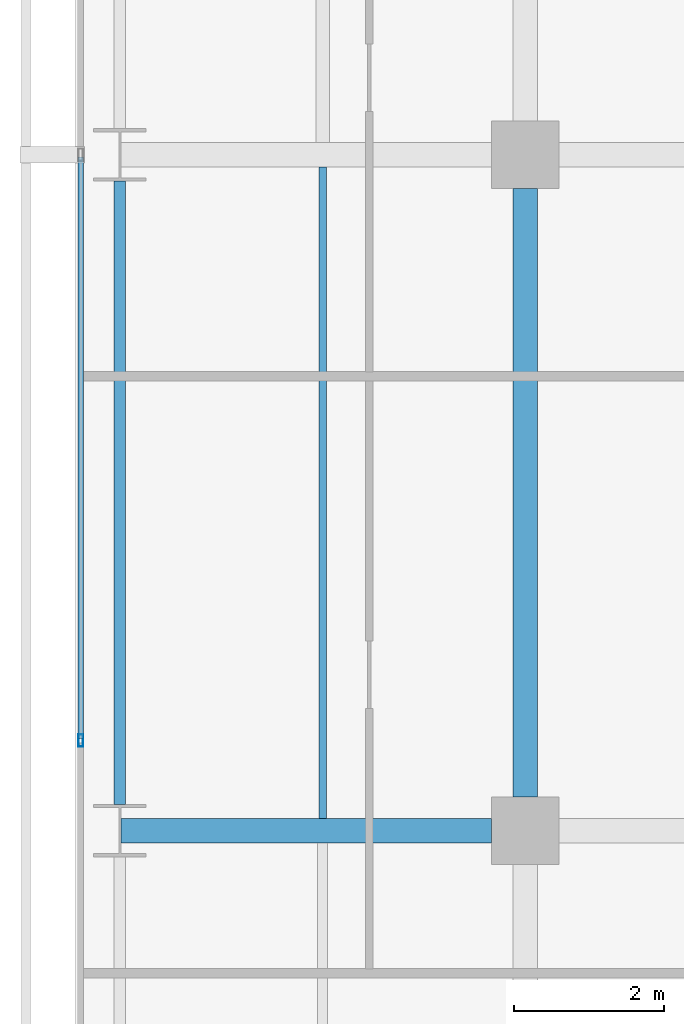
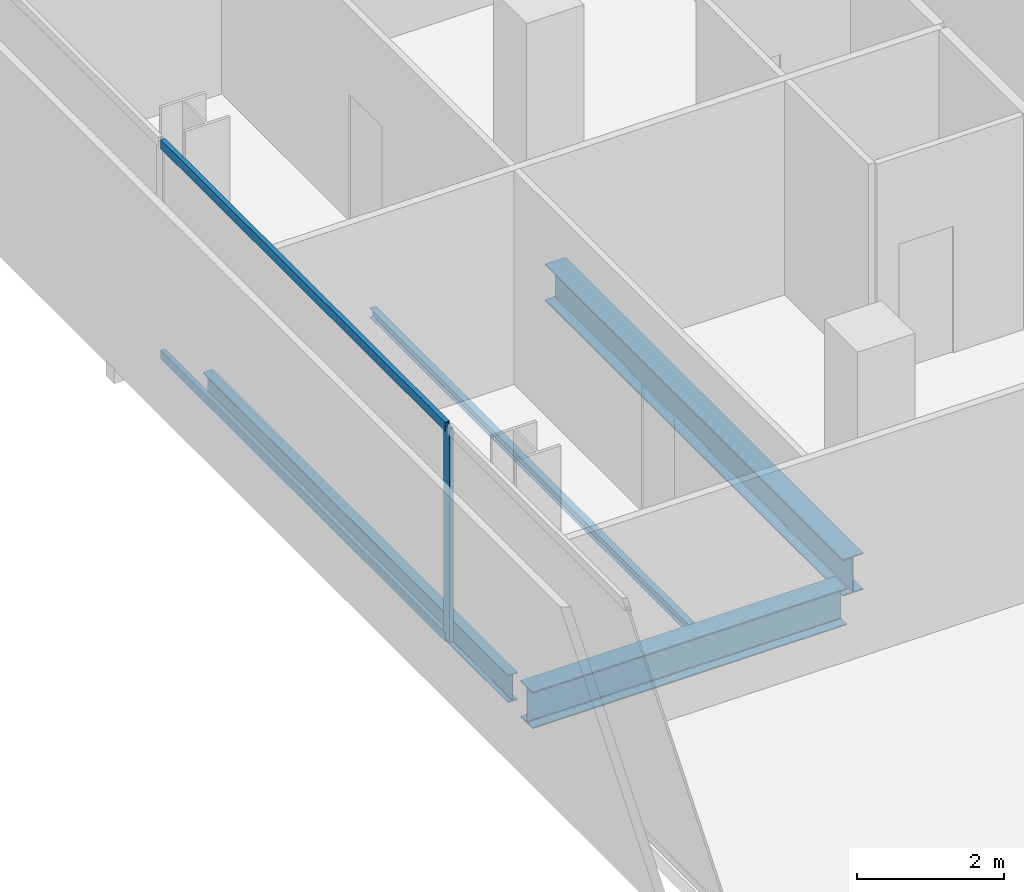
# One storey, part 10 of 39: 4 beams, 3 members, 1 element without a shape of its own.
"""IFC4 building model written with IfcOpenShell, lengths in metres."""

from ifc_helpers import new_model, si_unit, direction, frame, origin, origin_2d, place, context, subcontext, project, spatial, hollow_rectangle, i_section, extrude, material, layer, layer_set, material_profile, profile_set, type_object, element, aggregate, save


model = new_model("IFC4")

# Units and contexts
model_context = context("Model", 3, precision=1e-05, world=origin(), true_north=direction((0.0, 1.0)))
body_context = subcontext(model_context, "Body", "Model", "MODEL_VIEW")
ifc_project = project(units=[si_unit("LENGTHUNIT", "METRE"), si_unit("AREAUNIT", "SQUARE_METRE"), si_unit("VOLUMEUNIT", "CUBIC_METRE"), si_unit("PLANEANGLEUNIT", "RADIAN"), si_unit("MASSUNIT", "GRAM", prefix="KILO")], contexts=[model_context])

# Site, building, storey
site_placement = place(None, origin())
site = spatial("IfcSite", under=ifc_project, at=site_placement, CompositionType="ELEMENT")
building_placement = place(site_placement, origin())
building = spatial("IfcBuilding", under=site, at=building_placement, Name="Maruvema Waterfront Hotel and Observation Tower", CompositionType="ELEMENT")
storey_placement = place(building_placement, frame((0.0, 0.0, 111.64990234375)))
storey = spatial("IfcBuildingStorey", under=building, at=storey_placement, Name="L27", CompositionType="ELEMENT", Elevation=111.64990234375)

# Curtain wall, members
ifc_material_1 = material(Name="Anodised bronze aluminium and solar-control low-E IGU", Category="aluminium")
ifc_layer = layer(ifc_material_1, 0.159912109375, Name="Zone 1 Bronze Inner Thermal Curtain Wall System CW-02")
ifc_layer_set = layer_set([ifc_layer], Name="Anodised bronze aluminium and solar-control low-E IGU")
curtain_wall_type = type_object("IfcCurtainWallType", Name="Zone 1 Bronze Inner Thermal Curtain Wall System CW-02", PredefinedType="USERDEFINED", material=ifc_layer_set)
curtain_wall_placement = place(storey_placement, origin())
curtain_wall = element("IfcCurtainWall", 1, at=curtain_wall_placement, inside=storey, type_object=curtain_wall_type, Name="L27 Curtain Wall CW-L27-W", ObjectType="UNITISED CURTAIN WALL", PredefinedType="USERDEFINED")
ifc_material_2 = material(Name="Anodised architectural bronze aluminium", Category="aluminium")
ifc_material_profile_1 = material_profile(ifc_material_2, hollow_rectangle(XDim=0.070068359375, YDim=0.14990234375, WallThickness=0.00390625, at=origin_2d()), Name="ALU-T70x150")
ifc_profile_set_1 = profile_set([ifc_material_profile_1], Name="Anodised architectural bronze aluminium")
member_type_1 = type_object("IfcMemberType", Name="Curtain Wall Horizontal Transom ALU-T70x150", PredefinedType="USERDEFINED", material=ifc_profile_set_1)
member_1_placement = place(storey_placement, frame((10.8798828125, 26.969970703125, 0.030029296875), z_axis=(0.0, -1.0, 0.0), x_axis=(1.0, 0.0, 0.0)))
member_1 = element("IfcMember", 2, at=member_1_placement, type_object=member_type_1, Name="CW-02 transom 4.1", ObjectType="TRANSOM", PredefinedType="USERDEFINED", context=body_context, shape_type="SweptSolid", body=[
    extrude(hollow_rectangle(XDim=0.070068359375, YDim=0.14990234375, WallThickness=0.00390625, at=origin_2d()), origin(), (0.0, 0.0, 1.0), 7.739990234375),
])
member_2_placement = place(storey_placement, frame((10.8798828125, 26.969970703125, 3.52001953125), z_axis=(0.0, -1.0, 0.0), x_axis=(1.0, 0.0, 0.0)))
member_2 = element("IfcMember", 3, at=member_2_placement, type_object=member_type_1, Name="CW-02 transom 4.2", ObjectType="TRANSOM", PredefinedType="USERDEFINED", context=body_context, shape_type="SweptSolid", body=[
    extrude(hollow_rectangle(XDim=0.070068359375, YDim=0.14990234375, WallThickness=0.00390625, at=origin_2d()), origin(), (0.0, 0.0, 1.0), 7.739990234375),
])
ifc_material_3 = material(Name="Anodised architectural bronze aluminium", Category="aluminium")
ifc_material_profile_2 = material_profile(ifc_material_3, hollow_rectangle(XDim=0.06494140625, YDim=0.1650390625, WallThickness=0.00390625, at=origin_2d()), Name="ALU-M65x165")
ifc_profile_set_2 = profile_set([ifc_material_profile_2], Name="Anodised architectural bronze aluminium")
member_type_2 = type_object("IfcMemberType", Name="Curtain Wall Primary Mullion ALU-M65x165", PredefinedType="MULLION", material=ifc_profile_set_2)
member_3_placement = place(storey_placement, frame((10.8798828125, 19.199951171875, 0.0), z_axis=(0.0, 0.0, 1.0), x_axis=(1.0, 0.0, 0.0)))
member_3 = element("IfcMember", 4, at=member_3_placement, type_object=member_type_2, Name="CW-02 mullion 5", PredefinedType="MULLION", context=body_context, shape_type="SweptSolid", body=[
    extrude(hollow_rectangle(XDim=0.06494140625, YDim=0.1650390625, WallThickness=0.00390625, at=origin_2d()), origin(), (0.0, 0.0, 1.0), 3.550048828125),
])
aggregate(curtain_wall, [member_3, member_1, member_2])

# Beams
ifc_material_4 = material(Name="Steel ASTM A572 Grade 50", Category="steel")
ifc_material_profile_3 = material_profile(ifc_material_4, i_section(OverallWidth=0.153076171875, OverallDepth=0.455078125, WebThickness=0.008056640625, FlangeThickness=0.01318359375, FilletRadius=0.014892578125, at=origin_2d()), Name="W460x60.0")
ifc_profile_set_3 = profile_set([ifc_material_profile_3], Name="Steel ASTM A572 Grade 50")
beam_type_1 = type_object("IfcBeamType", Name="Perimeter Spandrel Beam W460x60.0", PredefinedType="SPANDREL", material=ifc_profile_set_3)
beam_1_placement = place(storey_placement, frame((11.39990234375, 18.35009765625, -0.46728515625), z_axis=(0.0, 1.0, 0.0), x_axis=(-1.0, 0.0, 0.0)))
element("IfcBeam", 5, at=beam_1_placement, inside=storey, type_object=beam_type_1, Name="L27 Floor Girder NS-02", PredefinedType="SPANDREL", context=body_context, shape_type="SweptSolid", body=[
    extrude(i_section(OverallWidth=0.153076171875, OverallDepth=0.455078125, WebThickness=0.008056640625, FlangeThickness=0.01318359375, FilletRadius=0.014892578125, at=origin_2d()), origin(), (0.0, 0.0, 1.0), 8.2998046875),
])
ifc_material_5 = material(Name="Steel ASTM A572 Grade 50", Category="steel")
ifc_material_profile_4 = material_profile(ifc_material_5, i_section(OverallWidth=0.323974609375, OverallDepth=0.611083984375, WebThickness=0.0126953125, FlangeThickness=0.01904296875, FilletRadius=0.01806640625, at=origin_2d()), Name="W610x155.0")
ifc_profile_set_4 = profile_set([ifc_material_profile_4], Name="Steel ASTM A572 Grade 50")
beam_type_2 = type_object("IfcBeamType", Name="Primary Floor Girder W610x155.0", PredefinedType="BEAM", material=ifc_profile_set_4)
beam_2_placement = place(storey_placement, frame((11.4140625, 18.0, -0.54541015625), z_axis=(1.0, 0.0, 0.0), x_axis=(0.0, 1.0, 0.0)))
element("IfcBeam", 6, at=beam_2_placement, inside=storey, type_object=beam_type_2, Name="L27 Floor Girder EW-13", PredefinedType="BEAM", context=body_context, shape_type="SweptSolid", body=[
    extrude(i_section(OverallWidth=0.323974609375, OverallDepth=0.611083984375, WebThickness=0.0126953125, FlangeThickness=0.01904296875, FilletRadius=0.01806640625, at=origin_2d()), origin(), (0.0, 0.0, 1.0), 4.93603515625),
])
beam_3_placement = place(storey_placement, frame((16.800048828125, 18.449951171875, -0.54541015625), z_axis=(0.0, 1.0, 0.0), x_axis=(-1.0, 0.0, 0.0)))
element("IfcBeam", 7, at=beam_3_placement, inside=storey, type_object=beam_type_2, Name="L27 Floor Girder NS-07", PredefinedType="BEAM", context=body_context, shape_type="SweptSolid", body=[
    extrude(i_section(OverallWidth=0.323974609375, OverallDepth=0.611083984375, WebThickness=0.0126953125, FlangeThickness=0.01904296875, FilletRadius=0.01806640625, at=origin_2d()), origin(), (0.0, 0.0, 1.0), 8.10009765625),
])
ifc_material_6 = material(Name="Steel ASTM A572 Grade 50", Category="steel")
ifc_material_profile_5 = material_profile(ifc_material_6, i_section(OverallWidth=0.10009765625, OverallDepth=0.153076171875, WebThickness=0.005859375, FlangeThickness=0.007080078125, FilletRadius=0.008056640625, at=origin_2d()), Name="W150x18.0")
ifc_profile_set_5 = profile_set([ifc_material_profile_5], Name="Steel ASTM A572 Grade 50")
beam_type_3 = type_object("IfcBeamType", Name="Secondary Floor Joist W150x18.0", PredefinedType="JOIST", material=ifc_profile_set_5)
beam_4_placement = place(storey_placement, frame((14.10009765625, 18.162109375, -0.31640625), z_axis=(0.0, 1.0, 0.0), x_axis=(-1.0, 0.0, 0.0)))
element("IfcBeam", 8, at=beam_4_placement, inside=storey, type_object=beam_type_3, Name="L27 Secondary Floor Joist JS-02", PredefinedType="JOIST", context=body_context, shape_type="SweptSolid", body=[
    extrude(i_section(OverallWidth=0.10009765625, OverallDepth=0.153076171875, WebThickness=0.005859375, FlangeThickness=0.007080078125, FilletRadius=0.008056640625, at=origin_2d()), origin(), (0.0, 0.0, 1.0), 8.67578125),
])

save(model, "model.ifc")
